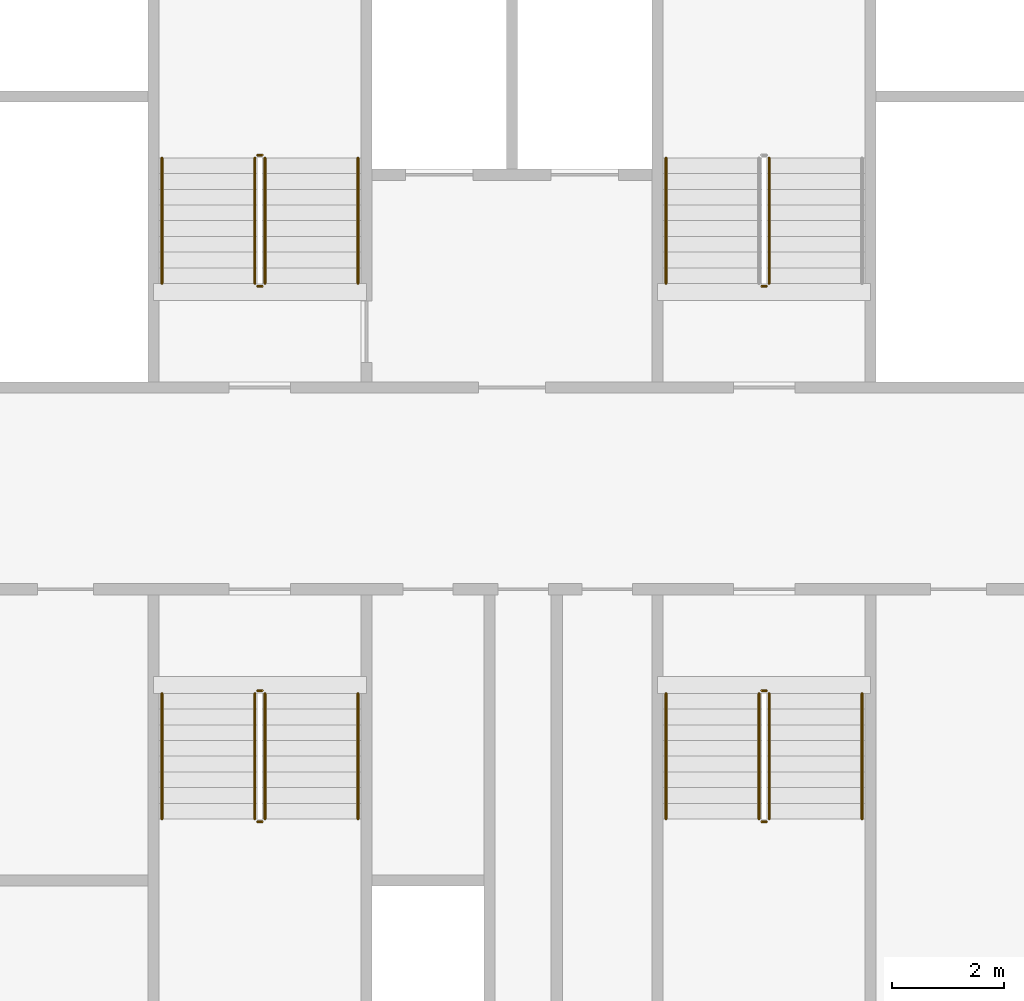
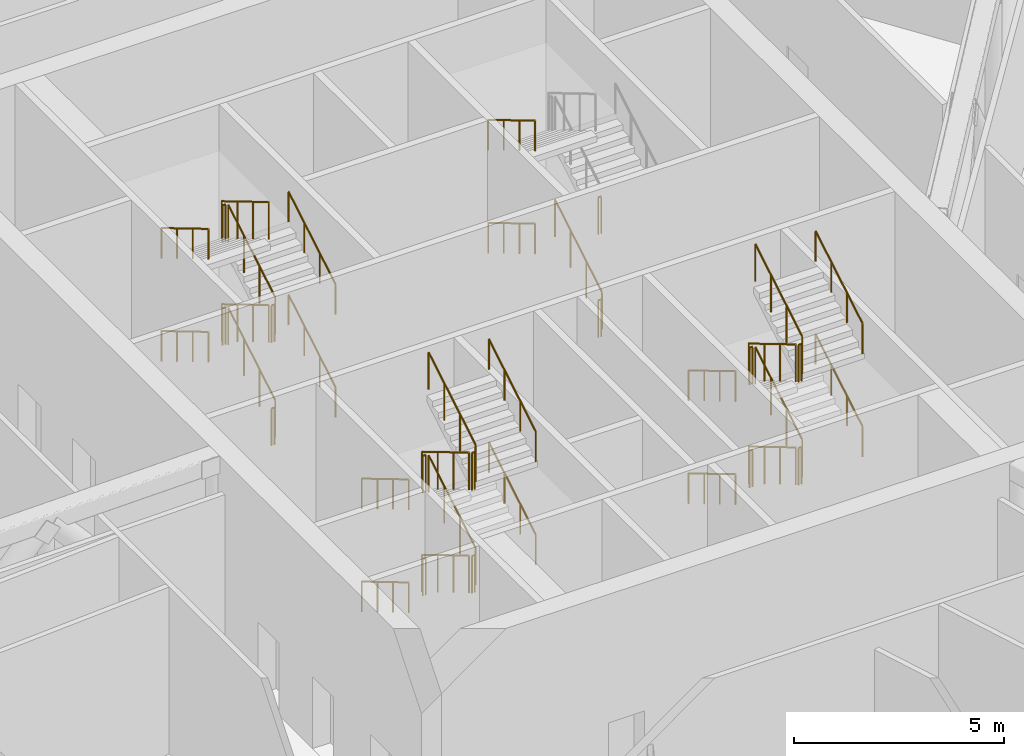
# One storey, part 30 of 33: 41 railings.
"""IFC4 building model written with IfcOpenShell, lengths in metres."""

import ifcopenshell
import ifcopenshell.guid

model = None  # the IFC model being written
_history = None  # IfcOwnerHistory: only IFC2X3 demands one
_inside = {}  # id of a spatial element -> (the spatial element, [elements in it])
_under = {}  # id of a project, library or spatial element -> (it, [spatial elements below it])
_declared = {}  # id of a project -> (the project, [libraries it declares])
_typed = {}  # id of a type object -> (the type object, [elements of that type])
_made_of = {}  # id of a material, layer set ... -> (it, [elements and type objects made of it])


def new_model(schema):
    """Start an empty IFC model of exactly this schema.

    Asked for "IFC4X3", IfcOpenShell would pick the latest addendum, in which some entities
    have other attributes; the version numbers below select the first issue.
    IFC2X3 requires an IfcOwnerHistory on every rooted entity: one is made here for all.
    """
    global model, _history
    if schema == "IFC4X3":
        model = ifcopenshell.file(schema_version=(4, 3, 0, 0))
    else:
        model = ifcopenshell.file(schema=schema)
    _inside.clear()
    _under.clear()
    _declared.clear()
    _typed.clear()
    _made_of.clear()
    _history = None
    if model.schema == "IFC2X3":
        org = make("IfcOrganization", Name="unknown")
        user = make(
            "IfcPersonAndOrganization",
            ThePerson=make("IfcPerson", FamilyName="unknown"),
            TheOrganization=org,
        )
        app = make(
            "IfcApplication",
            ApplicationDeveloper=org,
            Version="unknown",
            ApplicationFullName="unknown",
            ApplicationIdentifier="unknown",
        )
        _history = make(
            "IfcOwnerHistory",
            OwningUser=user,
            OwningApplication=app,
            ChangeAction="ADDED",
            CreationDate=0,
        )
    return model


def make(cls, **values):
    """One entity of the class cls with the attributes given. An attribute that is None is left unset."""
    return model.create_entity(
        cls, **{name: value for name, value in values.items() if value is not None}
    )


def rooted(cls, **values):
    """An entity with a GlobalId (a new one), such as an element, a storey or a relation."""
    return make(cls, GlobalId=ifcopenshell.guid.new(), OwnerHistory=_history, **values)


def si_unit(unit_type, name, prefix=None):
    """IfcSIUnit, for example si_unit("LENGTHUNIT", "METRE", prefix="MILLI")."""
    return make("IfcSIUnit", UnitType=unit_type, Prefix=prefix, Name=name)


def assignment(units):
    """IfcUnitAssignment: the units of a project."""
    return None if units is None else make("IfcUnitAssignment", Units=units)


def point(xyz):
    """IfcCartesianPoint."""
    return None if xyz is None else make("IfcCartesianPoint", Coordinates=xyz)


def direction(xyz):
    """IfcDirection."""
    return None if xyz is None else make("IfcDirection", DirectionRatios=xyz)


def frame(location, z_axis=None, x_axis=None):
    """IfcAxis2Placement3D, a coordinate frame: its origin and axes. An axis left out is left unset."""
    return make(
        "IfcAxis2Placement3D",
        Location=point(location),
        Axis=direction(z_axis),
        RefDirection=direction(x_axis),
    )


def frame_2d(location, x_axis=None):
    """IfcAxis2Placement2D, a coordinate frame in the plane: its origin and x axis."""
    return make(
        "IfcAxis2Placement2D", Location=point(location), RefDirection=direction(x_axis)
    )


def origin():
    """The frame at (0, 0, 0) with its axes left unset."""
    return frame((0.0, 0.0, 0.0))


def origin_2d():
    """The frame at (0, 0) in the plane with its x axis left unset."""
    return frame_2d((0.0, 0.0))


def place(relative_to, where):
    """IfcLocalPlacement: puts the frame where relative to a parent placement (None: the world)."""
    return make(
        "IfcLocalPlacement", PlacementRelTo=relative_to, RelativePlacement=where
    )


def context(
    kind, dimensions, precision=None, world=None, true_north=None, identifier=None
):
    """IfcGeometricRepresentationContext, for example the 3D "Model" context."""
    return make(
        "IfcGeometricRepresentationContext",
        ContextIdentifier=identifier,
        ContextType=kind,
        CoordinateSpaceDimension=dimensions,
        Precision=precision,
        WorldCoordinateSystem=world,
        TrueNorth=true_north,
    )


def subcontext(parent, identifier, kind, view, scale=None):
    """IfcGeometricRepresentationSubContext, for example "Body" below "Model"."""
    return make(
        "IfcGeometricRepresentationSubContext",
        ContextIdentifier=identifier,
        ContextType=kind,
        ParentContext=parent,
        TargetScale=scale,
        TargetView=view,
    )


def project(units=None, contexts=None):
    """IfcProject with its units and contexts."""
    return rooted(
        "IfcProject",
        Name="project",
        RepresentationContexts=contexts,
        UnitsInContext=assignment(units),
    )


def spatial(cls, under=None, at=None, **own):
    """A site, building, storey or space (cls), placed at a placement, below another one or the project."""
    s = rooted(cls, ObjectPlacement=at, **own)
    if under is not None:
        _under.setdefault(under.id(), (under, []))[1].append(s)
    return s


def profile(cls, at=None, kind="AREA", **sizes):
    """A parametric profile (cls). Its sizes go by their IFC names, for example OverallWidth=200.0."""
    return make(cls, ProfileType=kind, Position=at, **sizes)


def circle(**sizes):
    """IfcCircleProfileDef."""
    return profile("IfcCircleProfileDef", **sizes)


def extrude(swept, where, along, depth):
    """IfcExtrudedAreaSolid: the profile swept, set in the frame where, extruded along a direction by depth."""
    return make(
        "IfcExtrudedAreaSolid",
        SweptArea=swept,
        Position=where,
        ExtrudedDirection=direction(along),
        Depth=depth,
    )


def shape(context_of_items, identifier, shape_type, items):
    """IfcShapeRepresentation: the items that make up one representation, for example the "Body"."""
    return make(
        "IfcShapeRepresentation",
        ContextOfItems=context_of_items,
        RepresentationIdentifier=identifier,
        RepresentationType=shape_type,
        Items=items,
    )


def material(Name=None, Category=None):
    """IfcMaterial."""
    return make("IfcMaterial", Name=Name, Category=Category)


def made_of(thing, what):
    """Note that an element or type object is made of a material, layer set ...; save() writes the relation."""
    if what is not None:
        _made_of.setdefault(what.id(), (what, []))[1].append(thing)
    return thing


def type_object(cls, material=None, **own):
    """A type object (cls), such as IfcWallType, which elements share."""
    return made_of(rooted(cls, **own), material)


def element(
    cls,
    number,
    at=None,
    inside=None,
    cuts=None,
    type_object=None,
    material=None,
    context=None,
    identifier="Body",
    shape_type=None,
    held_by="IfcProductDefinitionShape",
    body=None,
    shapes=None,
    **own,
):
    """One element of the class cls, such as IfcWall. Its Tag is "e" and its number.

    at: its placement. inside: the storey or other place that contains it. cuts: it is an
    opening in that element (IfcRelVoidsElement). A single representation is given by context,
    identifier, shape_type and body (its items); several are given by shapes. held_by: the class
    of the entity that holds the representations. save() writes the other relations.
    """
    e = rooted(cls, Tag="e%d" % number, ObjectPlacement=at, **own)
    if body is not None:
        shapes = [shape(context, identifier, shape_type, body)]
    if shapes is not None:
        e.Representation = make(held_by, Representations=shapes)
    if inside is not None:
        _inside.setdefault(inside.id(), (inside, []))[1].append(e)
    if cuts is not None:
        rooted(
            "IfcRelVoidsElement", RelatingBuildingElement=cuts, RelatedOpeningElement=e
        )
    if type_object is not None:
        _typed.setdefault(type_object.id(), (type_object, []))[1].append(e)
    return made_of(e, material)


def aggregate(whole, parts):
    """IfcRelAggregates: a whole, such as a stair, and the parts it consists of."""
    return rooted("IfcRelAggregates", RelatingObject=whole, RelatedObjects=parts)


def save(model, path):
    """Write the relations noted so far, then the file.

    IfcRelAggregates (storeys below a building ...), IfcRelContainedInSpatialStructure (elements
    in a storey), IfcRelDefinesByType, IfcRelAssociatesMaterial and IfcRelDeclares: one each for
    every whole, place, type object, material and project.
    """
    for whole, parts in _under.values():
        aggregate(whole, parts)
    for where, things in _inside.values():
        rooted(
            "IfcRelContainedInSpatialStructure",
            RelatedElements=things,
            RelatingStructure=where,
        )
    for kind, things in _typed.values():
        rooted("IfcRelDefinesByType", RelatedObjects=things, RelatingType=kind)
    for what, things in _made_of.values():
        rooted("IfcRelAssociatesMaterial", RelatedObjects=things, RelatingMaterial=what)
    for by, libraries in _declared.values():
        rooted("IfcRelDeclares", RelatingContext=by, RelatedDefinitions=libraries)
    model.write(path)


model = new_model("IFC4")

# Units and contexts
model_context = context("Model", 3, precision=1e-05, world=origin(), true_north=direction((0.0, 1.0)))
body_context = subcontext(model_context, "Body", "Model", "MODEL_VIEW")
ifc_project = project(units=[si_unit("LENGTHUNIT", "METRE"), si_unit("AREAUNIT", "SQUARE_METRE"), si_unit("VOLUMEUNIT", "CUBIC_METRE"), si_unit("PLANEANGLEUNIT", "RADIAN"), si_unit("MASSUNIT", "GRAM", prefix="KILO")], contexts=[model_context])

# Site, building, storey
site_placement = place(None, origin())
site = spatial("IfcSite", under=ifc_project, at=site_placement, CompositionType="ELEMENT")
building_placement = place(site_placement, origin())
building = spatial("IfcBuilding", under=site, at=building_placement, Name="Tarsis Ring Headquarters", CompositionType="ELEMENT")
storey_placement = place(building_placement, frame((0.0, 0.0, 302.0)))
storey = spatial("IfcBuildingStorey", under=building, at=storey_placement, Name="L71", CompositionType="ELEMENT", Elevation=302.0)

# Railings
ifc_material = material(Name="Steel S355", Category="steel")
railing_type_1 = type_object("IfcRailingType", Name="Core stair guard 1100", PredefinedType="GUARDRAIL", material=ifc_material)
railing_1_placement = place(storey_placement, frame((-4.409912109375, 3.659912109375, 0.166748046875)))
element("IfcRailing", 1, at=railing_1_placement, inside=storey, type_object=railing_type_1, Name="L71 ST1 stair guard 1", PredefinedType="GUARDRAIL", context=body_context, shape_type="SweptSolid", body=[
    extrude(circle(Radius=0.02392578125, at=origin_2d()), frame((0.0, 0.0, 1.076171875), z_axis=(0.0, 0.859305625298, 0.511462454469), x_axis=(-1.0, 0.0, 0.0)), (0.0, 0.0, 1.0), 2.606689453125),
    extrude(circle(Radius=0.02099609375, at=origin_2d()), origin(), (0.0, 0.0, 1.0), 1.052001953125),
    extrude(circle(Radius=0.02099609375, at=origin_2d()), frame((0.0, 0.74658203125, 0.4443359375)), (0.0, 0.0, 1.0), 1.052001953125),
    extrude(circle(Radius=0.02099609375, at=origin_2d()), frame((0.0, 1.493408203125, 0.888916015625)), (0.0, 0.0, 1.0), 1.052001953125),
    extrude(circle(Radius=0.02099609375, at=origin_2d()), frame((0.0, 2.239990234375, 1.333251953125)), (0.0, 0.0, 1.0), 1.052001953125),
])
railing_2_placement = place(storey_placement, frame((-4.4599609375, 5.949951171875, 1.5)))
element("IfcRailing", 2, at=railing_2_placement, inside=storey, type_object=railing_type_1, Name="L71 ST1 stair guard 2", PredefinedType="GUARDRAIL", context=body_context, shape_type="SweptSolid", body=[
    extrude(circle(Radius=0.02392578125, at=origin_2d()), frame((0.0, 0.0, 1.076171875), z_axis=(-1.0, 0.0, 0.0), x_axis=(0.0, -1.0, 0.0)), (0.0, 0.0, 1.0), 0.080078125),
    extrude(circle(Radius=0.02099609375, at=origin_2d()), origin(), (0.0, 0.0, 1.0), 1.052001953125),
    extrude(circle(Radius=0.02099609375, at=origin_2d()), frame((-0.080078125, 0.0, 0.0)), (0.0, 0.0, 1.0), 1.052001953125),
])
railing_3_placement = place(storey_placement, frame((-4.590087890625, 5.89990234375, 1.666748046875)))
element("IfcRailing", 3, at=railing_3_placement, inside=storey, type_object=railing_type_1, Name="L71 ST1 stair guard 3", PredefinedType="GUARDRAIL", context=body_context, shape_type="SweptSolid", body=[
    extrude(circle(Radius=0.02392578125, at=origin_2d()), frame((0.0, 0.0, 1.076171875), z_axis=(0.0, -0.859305625298, 0.511462454469), x_axis=(1.0, 0.0, 0.0)), (0.0, 0.0, 1.0), 2.606689453125),
    extrude(circle(Radius=0.02099609375, at=origin_2d()), origin(), (0.0, 0.0, 1.0), 1.052001953125),
    extrude(circle(Radius=0.02099609375, at=origin_2d()), frame((0.0, -0.74658203125, 0.4443359375)), (0.0, 0.0, 1.0), 1.052001953125),
    extrude(circle(Radius=0.02099609375, at=origin_2d()), frame((0.0, -1.493408203125, 0.888916015625)), (0.0, 0.0, 1.0), 1.052001953125),
    extrude(circle(Radius=0.02099609375, at=origin_2d()), frame((0.0, -2.239990234375, 1.333251953125)), (0.0, 0.0, 1.0), 1.052001953125),
])
railing_4_placement = place(storey_placement, frame((-4.4599609375, 3.610107421875, 3.0)))
element("IfcRailing", 4, at=railing_4_placement, inside=storey, type_object=railing_type_1, Name="L71 ST1 stair guard 4", PredefinedType="GUARDRAIL", context=body_context, shape_type="SweptSolid", body=[
    extrude(circle(Radius=0.02392578125, at=origin_2d()), frame((0.0, 0.0, 1.076171875), z_axis=(-1.0, 0.0, 0.0), x_axis=(0.0, -1.0, 0.0)), (0.0, 0.0, 1.0), 0.080078125),
    extrude(circle(Radius=0.02099609375, at=origin_2d()), origin(), (0.0, 0.0, 1.0), 1.052001953125),
    extrude(circle(Radius=0.02099609375, at=origin_2d()), frame((-0.080078125, 0.0, 0.0)), (0.0, 0.0, 1.0), 1.052001953125),
])
railing_5_placement = place(storey_placement, frame((-4.409912109375, 3.659912109375, 3.166748046875)))
element("IfcRailing", 5, at=railing_5_placement, inside=storey, type_object=railing_type_1, Name="L71 ST1 stair guard 5", PredefinedType="GUARDRAIL", context=body_context, shape_type="SweptSolid", body=[
    extrude(circle(Radius=0.02392578125, at=origin_2d()), frame((0.0, 0.0, 1.076171875), z_axis=(0.0, 0.859305625298, 0.511462454469), x_axis=(-1.0, 0.0, 0.0)), (0.0, 0.0, 1.0), 2.606689453125),
    extrude(circle(Radius=0.02099609375, at=origin_2d()), origin(), (0.0, 0.0, 1.0), 1.052001953125),
    extrude(circle(Radius=0.02099609375, at=origin_2d()), frame((0.0, 0.74658203125, 0.4443359375)), (0.0, 0.0, 1.0), 1.052001953125),
    extrude(circle(Radius=0.02099609375, at=origin_2d()), frame((0.0, 1.493408203125, 0.888916015625)), (0.0, 0.0, 1.0), 1.052001953125),
    extrude(circle(Radius=0.02099609375, at=origin_2d()), frame((0.0, 2.239990234375, 1.333251953125)), (0.0, 0.0, 1.0), 1.052001953125),
])
railing_6_placement = place(storey_placement, frame((-4.4599609375, 5.949951171875, 4.5)))
element("IfcRailing", 6, at=railing_6_placement, inside=storey, type_object=railing_type_1, Name="L71 ST1 stair guard 6", PredefinedType="GUARDRAIL", context=body_context, shape_type="SweptSolid", body=[
    extrude(circle(Radius=0.02392578125, at=origin_2d()), frame((0.0, 0.0, 1.076171875), z_axis=(-1.0, 0.0, 0.0), x_axis=(0.0, -1.0, 0.0)), (0.0, 0.0, 1.0), 0.080078125),
    extrude(circle(Radius=0.02099609375, at=origin_2d()), origin(), (0.0, 0.0, 1.0), 1.052001953125),
    extrude(circle(Radius=0.02099609375, at=origin_2d()), frame((-0.080078125, 0.0, 0.0)), (0.0, 0.0, 1.0), 1.052001953125),
])
railing_7_placement = place(storey_placement, frame((-4.590087890625, 5.89990234375, 4.666748046875)))
element("IfcRailing", 7, at=railing_7_placement, inside=storey, type_object=railing_type_1, Name="L71 ST1 stair guard 7", PredefinedType="GUARDRAIL", context=body_context, shape_type="SweptSolid", body=[
    extrude(circle(Radius=0.02392578125, at=origin_2d()), frame((0.0, 0.0, 1.076171875), z_axis=(0.0, -0.859305625298, 0.511462454469), x_axis=(1.0, 0.0, 0.0)), (0.0, 0.0, 1.0), 2.606689453125),
    extrude(circle(Radius=0.02099609375, at=origin_2d()), origin(), (0.0, 0.0, 1.0), 1.052001953125),
    extrude(circle(Radius=0.02099609375, at=origin_2d()), frame((0.0, -0.74658203125, 0.4443359375)), (0.0, 0.0, 1.0), 1.052001953125),
    extrude(circle(Radius=0.02099609375, at=origin_2d()), frame((0.0, -1.493408203125, 0.888916015625)), (0.0, 0.0, 1.0), 1.052001953125),
    extrude(circle(Radius=0.02099609375, at=origin_2d()), frame((0.0, -2.239990234375, 1.333251953125)), (0.0, 0.0, 1.0), 1.052001953125),
])
railing_8_placement = place(storey_placement, frame((-4.4599609375, 3.610107421875, 0.0)))
element("IfcRailing", 8, at=railing_8_placement, inside=storey, type_object=railing_type_1, Name="L71 ST1 stair guard 8", PredefinedType="GUARDRAIL", context=body_context, shape_type="SweptSolid", body=[
    extrude(circle(Radius=0.02392578125, at=origin_2d()), frame((0.0, 0.0, 1.076171875), z_axis=(-1.0, 0.0, 0.0), x_axis=(0.0, -1.0, 0.0)), (0.0, 0.0, 1.0), 0.080078125),
    extrude(circle(Radius=0.02099609375, at=origin_2d()), origin(), (0.0, 0.0, 1.0), 1.052001953125),
    extrude(circle(Radius=0.02099609375, at=origin_2d()), frame((-0.080078125, 0.0, 0.0)), (0.0, 0.0, 1.0), 1.052001953125),
])
railing_9_placement = place(storey_placement, frame((4.590087890625, 3.659912109375, 0.166748046875)))
element("IfcRailing", 9, at=railing_9_placement, inside=storey, type_object=railing_type_1, Name="L71 ST2 stair guard 1", PredefinedType="GUARDRAIL", context=body_context, shape_type="SweptSolid", body=[
    extrude(circle(Radius=0.02392578125, at=origin_2d()), frame((0.0, 0.0, 1.076171875), z_axis=(0.0, 0.859305625298, 0.511462454469), x_axis=(-1.0, 0.0, 0.0)), (0.0, 0.0, 1.0), 2.606689453125),
    extrude(circle(Radius=0.02099609375, at=origin_2d()), origin(), (0.0, 0.0, 1.0), 1.052001953125),
    extrude(circle(Radius=0.02099609375, at=origin_2d()), frame((0.0, 0.74658203125, 0.4443359375)), (0.0, 0.0, 1.0), 1.052001953125),
    extrude(circle(Radius=0.02099609375, at=origin_2d()), frame((0.0, 1.493408203125, 0.888916015625)), (0.0, 0.0, 1.0), 1.052001953125),
    extrude(circle(Radius=0.02099609375, at=origin_2d()), frame((0.0, 2.239990234375, 1.333251953125)), (0.0, 0.0, 1.0), 1.052001953125),
])
for number, where, name in (
    (10, (4.5400390625, 3.610107421875, 3.0), "L71 ST2 stair guard 4"),
    (11, (4.5400390625, 3.610107421875, 0.0), "L71 ST2 stair guard 8"),
):
    element("IfcRailing", number, at=place(storey_placement, frame(where)), inside=storey, type_object=railing_type_1, Name=name, PredefinedType="GUARDRAIL", context=body_context, shape_type="SweptSolid", body=[
        extrude(circle(Radius=0.02392578125, at=origin_2d()), frame((0.0, 0.0, 1.076171875), z_axis=(-1.0, 0.0, 0.0), x_axis=(0.0, -1.0, 0.0)), (0.0, 0.0, 1.0), 0.080078125),
        extrude(circle(Radius=0.02099609375, at=origin_2d()), origin(), (0.0, 0.0, 1.0), 1.052001953125),
        extrude(circle(Radius=0.02099609375, at=origin_2d()), frame((-0.080078125, 0.0, 0.0)), (0.0, 0.0, 1.0), 1.052001953125),
    ])
railing_10_placement = place(storey_placement, frame((-4.590087890625, -3.659912109375, 0.166748046875)))
element("IfcRailing", 12, at=railing_10_placement, inside=storey, type_object=railing_type_1, Name="L71 ST3 stair guard 1", PredefinedType="GUARDRAIL", context=body_context, shape_type="SweptSolid", body=[
    extrude(circle(Radius=0.02392578125, at=origin_2d()), frame((0.0, 0.0, 1.076171875), z_axis=(0.0, -0.859305625298, 0.511462454469), x_axis=(1.0, 0.0, 0.0)), (0.0, 0.0, 1.0), 2.606689453125),
    extrude(circle(Radius=0.02099609375, at=origin_2d()), origin(), (0.0, 0.0, 1.0), 1.052001953125),
    extrude(circle(Radius=0.02099609375, at=origin_2d()), frame((0.0, -0.74658203125, 0.4443359375)), (0.0, 0.0, 1.0), 1.052001953125),
    extrude(circle(Radius=0.02099609375, at=origin_2d()), frame((0.0, -1.493408203125, 0.888916015625)), (0.0, 0.0, 1.0), 1.052001953125),
    extrude(circle(Radius=0.02099609375, at=origin_2d()), frame((0.0, -2.239990234375, 1.333251953125)), (0.0, 0.0, 1.0), 1.052001953125),
])
railing_11_placement = place(storey_placement, frame((-4.5400390625, -5.949951171875, 1.5)))
element("IfcRailing", 13, at=railing_11_placement, inside=storey, type_object=railing_type_1, Name="L71 ST3 stair guard 2", PredefinedType="GUARDRAIL", context=body_context, shape_type="SweptSolid", body=[
    extrude(circle(Radius=0.02392578125, at=origin_2d()), frame((0.0, 0.0, 1.076171875), z_axis=(1.0, 0.0, 0.0), x_axis=(0.0, 1.0, 0.0)), (0.0, 0.0, 1.0), 0.080078125),
    extrude(circle(Radius=0.02099609375, at=origin_2d()), origin(), (0.0, 0.0, 1.0), 1.052001953125),
    extrude(circle(Radius=0.02099609375, at=origin_2d()), frame((0.080078125, 0.0, 0.0)), (0.0, 0.0, 1.0), 1.052001953125),
])
railing_12_placement = place(storey_placement, frame((-4.409912109375, -5.89990234375, 1.666748046875)))
element("IfcRailing", 14, at=railing_12_placement, inside=storey, type_object=railing_type_1, Name="L71 ST3 stair guard 3", PredefinedType="GUARDRAIL", context=body_context, shape_type="SweptSolid", body=[
    extrude(circle(Radius=0.02392578125, at=origin_2d()), frame((0.0, 0.0, 1.076171875), z_axis=(0.0, 0.859305625298, 0.511462454469), x_axis=(-1.0, 0.0, 0.0)), (0.0, 0.0, 1.0), 2.606689453125),
    extrude(circle(Radius=0.02099609375, at=origin_2d()), origin(), (0.0, 0.0, 1.0), 1.052001953125),
    extrude(circle(Radius=0.02099609375, at=origin_2d()), frame((0.0, 0.74658203125, 0.4443359375)), (0.0, 0.0, 1.0), 1.052001953125),
    extrude(circle(Radius=0.02099609375, at=origin_2d()), frame((0.0, 1.493408203125, 0.888916015625)), (0.0, 0.0, 1.0), 1.052001953125),
    extrude(circle(Radius=0.02099609375, at=origin_2d()), frame((0.0, 2.239990234375, 1.333251953125)), (0.0, 0.0, 1.0), 1.052001953125),
])
railing_13_placement = place(storey_placement, frame((-4.5400390625, -3.610107421875, 3.0)))
element("IfcRailing", 15, at=railing_13_placement, inside=storey, type_object=railing_type_1, Name="L71 ST3 stair guard 4", PredefinedType="GUARDRAIL", context=body_context, shape_type="SweptSolid", body=[
    extrude(circle(Radius=0.02392578125, at=origin_2d()), frame((0.0, 0.0, 1.076171875), z_axis=(1.0, 0.0, 0.0), x_axis=(0.0, 1.0, 0.0)), (0.0, 0.0, 1.0), 0.080078125),
    extrude(circle(Radius=0.02099609375, at=origin_2d()), origin(), (0.0, 0.0, 1.0), 1.052001953125),
    extrude(circle(Radius=0.02099609375, at=origin_2d()), frame((0.080078125, 0.0, 0.0)), (0.0, 0.0, 1.0), 1.052001953125),
])
railing_14_placement = place(storey_placement, frame((-4.590087890625, -3.659912109375, 3.166748046875)))
element("IfcRailing", 16, at=railing_14_placement, inside=storey, type_object=railing_type_1, Name="L71 ST3 stair guard 5", PredefinedType="GUARDRAIL", context=body_context, shape_type="SweptSolid", body=[
    extrude(circle(Radius=0.02392578125, at=origin_2d()), frame((0.0, 0.0, 1.076171875), z_axis=(0.0, -0.859305625298, 0.511462454469), x_axis=(1.0, 0.0, 0.0)), (0.0, 0.0, 1.0), 2.606689453125),
    extrude(circle(Radius=0.02099609375, at=origin_2d()), origin(), (0.0, 0.0, 1.0), 1.052001953125),
    extrude(circle(Radius=0.02099609375, at=origin_2d()), frame((0.0, -0.74658203125, 0.4443359375)), (0.0, 0.0, 1.0), 1.052001953125),
    extrude(circle(Radius=0.02099609375, at=origin_2d()), frame((0.0, -1.493408203125, 0.888916015625)), (0.0, 0.0, 1.0), 1.052001953125),
    extrude(circle(Radius=0.02099609375, at=origin_2d()), frame((0.0, -2.239990234375, 1.333251953125)), (0.0, 0.0, 1.0), 1.052001953125),
])
railing_15_placement = place(storey_placement, frame((-4.5400390625, -5.949951171875, 4.5)))
element("IfcRailing", 17, at=railing_15_placement, inside=storey, type_object=railing_type_1, Name="L71 ST3 stair guard 6", PredefinedType="GUARDRAIL", context=body_context, shape_type="SweptSolid", body=[
    extrude(circle(Radius=0.02392578125, at=origin_2d()), frame((0.0, 0.0, 1.076171875), z_axis=(1.0, 0.0, 0.0), x_axis=(0.0, 1.0, 0.0)), (0.0, 0.0, 1.0), 0.080078125),
    extrude(circle(Radius=0.02099609375, at=origin_2d()), origin(), (0.0, 0.0, 1.0), 1.052001953125),
    extrude(circle(Radius=0.02099609375, at=origin_2d()), frame((0.080078125, 0.0, 0.0)), (0.0, 0.0, 1.0), 1.052001953125),
])
railing_16_placement = place(storey_placement, frame((-4.409912109375, -5.89990234375, 4.666748046875)))
element("IfcRailing", 18, at=railing_16_placement, inside=storey, type_object=railing_type_1, Name="L71 ST3 stair guard 7", PredefinedType="GUARDRAIL", context=body_context, shape_type="SweptSolid", body=[
    extrude(circle(Radius=0.02392578125, at=origin_2d()), frame((0.0, 0.0, 1.076171875), z_axis=(0.0, 0.859305625298, 0.511462454469), x_axis=(-1.0, 0.0, 0.0)), (0.0, 0.0, 1.0), 2.606689453125),
    extrude(circle(Radius=0.02099609375, at=origin_2d()), origin(), (0.0, 0.0, 1.0), 1.052001953125),
    extrude(circle(Radius=0.02099609375, at=origin_2d()), frame((0.0, 0.74658203125, 0.4443359375)), (0.0, 0.0, 1.0), 1.052001953125),
    extrude(circle(Radius=0.02099609375, at=origin_2d()), frame((0.0, 1.493408203125, 0.888916015625)), (0.0, 0.0, 1.0), 1.052001953125),
    extrude(circle(Radius=0.02099609375, at=origin_2d()), frame((0.0, 2.239990234375, 1.333251953125)), (0.0, 0.0, 1.0), 1.052001953125),
])
railing_17_placement = place(storey_placement, frame((-4.5400390625, -3.610107421875, 0.0)))
element("IfcRailing", 19, at=railing_17_placement, inside=storey, type_object=railing_type_1, Name="L71 ST3 stair guard 8", PredefinedType="GUARDRAIL", context=body_context, shape_type="SweptSolid", body=[
    extrude(circle(Radius=0.02392578125, at=origin_2d()), frame((0.0, 0.0, 1.076171875), z_axis=(1.0, 0.0, 0.0), x_axis=(0.0, 1.0, 0.0)), (0.0, 0.0, 1.0), 0.080078125),
    extrude(circle(Radius=0.02099609375, at=origin_2d()), origin(), (0.0, 0.0, 1.0), 1.052001953125),
    extrude(circle(Radius=0.02099609375, at=origin_2d()), frame((0.080078125, 0.0, 0.0)), (0.0, 0.0, 1.0), 1.052001953125),
])
railing_18_placement = place(storey_placement, frame((4.409912109375, -3.659912109375, 0.166748046875)))
element("IfcRailing", 20, at=railing_18_placement, inside=storey, type_object=railing_type_1, Name="L71 ST4 stair guard 1", PredefinedType="GUARDRAIL", context=body_context, shape_type="SweptSolid", body=[
    extrude(circle(Radius=0.02392578125, at=origin_2d()), frame((0.0, 0.0, 1.076171875), z_axis=(0.0, -0.859305625298, 0.511462454469), x_axis=(1.0, 0.0, 0.0)), (0.0, 0.0, 1.0), 2.606689453125),
    extrude(circle(Radius=0.02099609375, at=origin_2d()), origin(), (0.0, 0.0, 1.0), 1.052001953125),
    extrude(circle(Radius=0.02099609375, at=origin_2d()), frame((0.0, -0.74658203125, 0.4443359375)), (0.0, 0.0, 1.0), 1.052001953125),
    extrude(circle(Radius=0.02099609375, at=origin_2d()), frame((0.0, -1.493408203125, 0.888916015625)), (0.0, 0.0, 1.0), 1.052001953125),
    extrude(circle(Radius=0.02099609375, at=origin_2d()), frame((0.0, -2.239990234375, 1.333251953125)), (0.0, 0.0, 1.0), 1.052001953125),
])
railing_19_placement = place(storey_placement, frame((4.4599609375, -5.949951171875, 1.5)))
element("IfcRailing", 21, at=railing_19_placement, inside=storey, type_object=railing_type_1, Name="L71 ST4 stair guard 2", PredefinedType="GUARDRAIL", context=body_context, shape_type="SweptSolid", body=[
    extrude(circle(Radius=0.02392578125, at=origin_2d()), frame((0.0, 0.0, 1.076171875), z_axis=(1.0, 0.0, 0.0), x_axis=(0.0, 1.0, 0.0)), (0.0, 0.0, 1.0), 0.080078125),
    extrude(circle(Radius=0.02099609375, at=origin_2d()), origin(), (0.0, 0.0, 1.0), 1.052001953125),
    extrude(circle(Radius=0.02099609375, at=origin_2d()), frame((0.080078125, 0.0, 0.0)), (0.0, 0.0, 1.0), 1.052001953125),
])
railing_20_placement = place(storey_placement, frame((4.590087890625, -5.89990234375, 1.666748046875)))
element("IfcRailing", 22, at=railing_20_placement, inside=storey, type_object=railing_type_1, Name="L71 ST4 stair guard 3", PredefinedType="GUARDRAIL", context=body_context, shape_type="SweptSolid", body=[
    extrude(circle(Radius=0.02392578125, at=origin_2d()), frame((0.0, 0.0, 1.076171875), z_axis=(0.0, 0.859305625298, 0.511462454469), x_axis=(-1.0, 0.0, 0.0)), (0.0, 0.0, 1.0), 2.606689453125),
    extrude(circle(Radius=0.02099609375, at=origin_2d()), origin(), (0.0, 0.0, 1.0), 1.052001953125),
    extrude(circle(Radius=0.02099609375, at=origin_2d()), frame((0.0, 0.74658203125, 0.4443359375)), (0.0, 0.0, 1.0), 1.052001953125),
    extrude(circle(Radius=0.02099609375, at=origin_2d()), frame((0.0, 1.493408203125, 0.888916015625)), (0.0, 0.0, 1.0), 1.052001953125),
    extrude(circle(Radius=0.02099609375, at=origin_2d()), frame((0.0, 2.239990234375, 1.333251953125)), (0.0, 0.0, 1.0), 1.052001953125),
])
railing_21_placement = place(storey_placement, frame((4.4599609375, -3.610107421875, 3.0)))
element("IfcRailing", 23, at=railing_21_placement, inside=storey, type_object=railing_type_1, Name="L71 ST4 stair guard 4", PredefinedType="GUARDRAIL", context=body_context, shape_type="SweptSolid", body=[
    extrude(circle(Radius=0.02392578125, at=origin_2d()), frame((0.0, 0.0, 1.076171875), z_axis=(1.0, 0.0, 0.0), x_axis=(0.0, 1.0, 0.0)), (0.0, 0.0, 1.0), 0.080078125),
    extrude(circle(Radius=0.02099609375, at=origin_2d()), origin(), (0.0, 0.0, 1.0), 1.052001953125),
    extrude(circle(Radius=0.02099609375, at=origin_2d()), frame((0.080078125, 0.0, 0.0)), (0.0, 0.0, 1.0), 1.052001953125),
])
railing_22_placement = place(storey_placement, frame((4.409912109375, -3.659912109375, 3.166748046875)))
element("IfcRailing", 24, at=railing_22_placement, inside=storey, type_object=railing_type_1, Name="L71 ST4 stair guard 5", PredefinedType="GUARDRAIL", context=body_context, shape_type="SweptSolid", body=[
    extrude(circle(Radius=0.02392578125, at=origin_2d()), frame((0.0, 0.0, 1.076171875), z_axis=(0.0, -0.859305625298, 0.511462454469), x_axis=(1.0, 0.0, 0.0)), (0.0, 0.0, 1.0), 2.606689453125),
    extrude(circle(Radius=0.02099609375, at=origin_2d()), origin(), (0.0, 0.0, 1.0), 1.052001953125),
    extrude(circle(Radius=0.02099609375, at=origin_2d()), frame((0.0, -0.74658203125, 0.4443359375)), (0.0, 0.0, 1.0), 1.052001953125),
    extrude(circle(Radius=0.02099609375, at=origin_2d()), frame((0.0, -1.493408203125, 0.888916015625)), (0.0, 0.0, 1.0), 1.052001953125),
    extrude(circle(Radius=0.02099609375, at=origin_2d()), frame((0.0, -2.239990234375, 1.333251953125)), (0.0, 0.0, 1.0), 1.052001953125),
])
railing_23_placement = place(storey_placement, frame((4.4599609375, -5.949951171875, 4.5)))
element("IfcRailing", 25, at=railing_23_placement, inside=storey, type_object=railing_type_1, Name="L71 ST4 stair guard 6", PredefinedType="GUARDRAIL", context=body_context, shape_type="SweptSolid", body=[
    extrude(circle(Radius=0.02392578125, at=origin_2d()), frame((0.0, 0.0, 1.076171875), z_axis=(1.0, 0.0, 0.0), x_axis=(0.0, 1.0, 0.0)), (0.0, 0.0, 1.0), 0.080078125),
    extrude(circle(Radius=0.02099609375, at=origin_2d()), origin(), (0.0, 0.0, 1.0), 1.052001953125),
    extrude(circle(Radius=0.02099609375, at=origin_2d()), frame((0.080078125, 0.0, 0.0)), (0.0, 0.0, 1.0), 1.052001953125),
])
railing_24_placement = place(storey_placement, frame((4.590087890625, -5.89990234375, 4.666748046875)))
element("IfcRailing", 26, at=railing_24_placement, inside=storey, type_object=railing_type_1, Name="L71 ST4 stair guard 7", PredefinedType="GUARDRAIL", context=body_context, shape_type="SweptSolid", body=[
    extrude(circle(Radius=0.02392578125, at=origin_2d()), frame((0.0, 0.0, 1.076171875), z_axis=(0.0, 0.859305625298, 0.511462454469), x_axis=(-1.0, 0.0, 0.0)), (0.0, 0.0, 1.0), 2.606689453125),
    extrude(circle(Radius=0.02099609375, at=origin_2d()), origin(), (0.0, 0.0, 1.0), 1.052001953125),
    extrude(circle(Radius=0.02099609375, at=origin_2d()), frame((0.0, 0.74658203125, 0.4443359375)), (0.0, 0.0, 1.0), 1.052001953125),
    extrude(circle(Radius=0.02099609375, at=origin_2d()), frame((0.0, 1.493408203125, 0.888916015625)), (0.0, 0.0, 1.0), 1.052001953125),
    extrude(circle(Radius=0.02099609375, at=origin_2d()), frame((0.0, 2.239990234375, 1.333251953125)), (0.0, 0.0, 1.0), 1.052001953125),
])
railing_25_placement = place(storey_placement, frame((4.4599609375, -3.610107421875, 0.0)))
element("IfcRailing", 27, at=railing_25_placement, inside=storey, type_object=railing_type_1, Name="L71 ST4 stair guard 8", PredefinedType="GUARDRAIL", context=body_context, shape_type="SweptSolid", body=[
    extrude(circle(Radius=0.02392578125, at=origin_2d()), frame((0.0, 0.0, 1.076171875), z_axis=(1.0, 0.0, 0.0), x_axis=(0.0, 1.0, 0.0)), (0.0, 0.0, 1.0), 0.080078125),
    extrude(circle(Radius=0.02099609375, at=origin_2d()), origin(), (0.0, 0.0, 1.0), 1.052001953125),
    extrude(circle(Radius=0.02099609375, at=origin_2d()), frame((0.080078125, 0.0, 0.0)), (0.0, 0.0, 1.0), 1.052001953125),
])
railing_type_2 = type_object("IfcRailingType", Name="Core stair handrail 900", PredefinedType="HANDRAIL", material=ifc_material)
railing_26_placement = place(storey_placement, frame((-2.75, 3.659912109375, 0.166748046875)))
element("IfcRailing", 28, at=railing_26_placement, inside=storey, type_object=railing_type_2, Name="L71 ST1 stair handrail 1", PredefinedType="HANDRAIL", context=body_context, shape_type="SweptSolid", body=[
    extrude(circle(Radius=0.02392578125, at=origin_2d()), frame((0.0, 0.0, 0.8759765625), z_axis=(0.0, 0.859305625298, 0.511462454469), x_axis=(-1.0, 0.0, 0.0)), (0.0, 0.0, 1.0), 2.606689453125),
    extrude(circle(Radius=0.02099609375, at=origin_2d()), origin(), (0.0, 0.0, 1.0), 0.851806640625),
    extrude(circle(Radius=0.02099609375, at=origin_2d()), frame((0.0, 0.74658203125, 0.4443359375)), (0.0, 0.0, 1.0), 0.851806640625),
    extrude(circle(Radius=0.02099609375, at=origin_2d()), frame((0.0, 1.493408203125, 0.888916015625)), (0.0, 0.0, 1.0), 0.851806640625),
    extrude(circle(Radius=0.02099609375, at=origin_2d()), frame((0.0, 2.239990234375, 1.333251953125)), (0.0, 0.0, 1.0), 0.851806640625),
])
railing_27_placement = place(storey_placement, frame((-6.25, 5.89990234375, 1.666748046875)))
element("IfcRailing", 29, at=railing_27_placement, inside=storey, type_object=railing_type_2, Name="L71 ST1 stair handrail 2", PredefinedType="HANDRAIL", context=body_context, shape_type="SweptSolid", body=[
    extrude(circle(Radius=0.02392578125, at=origin_2d()), frame((0.0, 0.0, 0.8759765625), z_axis=(0.0, -0.859305625298, 0.511462454469), x_axis=(1.0, 0.0, 0.0)), (0.0, 0.0, 1.0), 2.606689453125),
    extrude(circle(Radius=0.02099609375, at=origin_2d()), origin(), (0.0, 0.0, 1.0), 0.851806640625),
    extrude(circle(Radius=0.02099609375, at=origin_2d()), frame((0.0, -0.74658203125, 0.4443359375)), (0.0, 0.0, 1.0), 0.851806640625),
    extrude(circle(Radius=0.02099609375, at=origin_2d()), frame((0.0, -1.493408203125, 0.888916015625)), (0.0, 0.0, 1.0), 0.851806640625),
    extrude(circle(Radius=0.02099609375, at=origin_2d()), frame((0.0, -2.239990234375, 1.333251953125)), (0.0, 0.0, 1.0), 0.851806640625),
])
railing_28_placement = place(storey_placement, frame((-2.75, 3.659912109375, 3.166748046875)))
element("IfcRailing", 30, at=railing_28_placement, inside=storey, type_object=railing_type_2, Name="L71 ST1 stair handrail 3", PredefinedType="HANDRAIL", context=body_context, shape_type="SweptSolid", body=[
    extrude(circle(Radius=0.02392578125, at=origin_2d()), frame((0.0, 0.0, 0.8759765625), z_axis=(0.0, 0.859305625298, 0.511462454469), x_axis=(-1.0, 0.0, 0.0)), (0.0, 0.0, 1.0), 2.606689453125),
    extrude(circle(Radius=0.02099609375, at=origin_2d()), origin(), (0.0, 0.0, 1.0), 0.851806640625),
    extrude(circle(Radius=0.02099609375, at=origin_2d()), frame((0.0, 0.74658203125, 0.4443359375)), (0.0, 0.0, 1.0), 0.851806640625),
    extrude(circle(Radius=0.02099609375, at=origin_2d()), frame((0.0, 1.493408203125, 0.888916015625)), (0.0, 0.0, 1.0), 0.851806640625),
    extrude(circle(Radius=0.02099609375, at=origin_2d()), frame((0.0, 2.239990234375, 1.333251953125)), (0.0, 0.0, 1.0), 0.851806640625),
])
for number, where, name in (
    (31, (-6.25, 5.89990234375, 4.666748046875), "L71 ST1 stair handrail 4"),
    (32, (2.75, 5.89990234375, 1.666748046875), "L71 ST2 stair handrail 2"),
    (33, (2.75, 5.89990234375, 4.666748046875), "L71 ST2 stair handrail 4"),
    (34, (-6.25, -3.659912109375, 0.166748046875), "L71 ST3 stair handrail 1"),
):
    element("IfcRailing", number, at=place(storey_placement, frame(where)), inside=storey, type_object=railing_type_2, Name=name, PredefinedType="HANDRAIL", context=body_context, shape_type="SweptSolid", body=[
        extrude(circle(Radius=0.02392578125, at=origin_2d()), frame((0.0, 0.0, 0.8759765625), z_axis=(0.0, -0.859305625298, 0.511462454469), x_axis=(1.0, 0.0, 0.0)), (0.0, 0.0, 1.0), 2.606689453125),
        extrude(circle(Radius=0.02099609375, at=origin_2d()), origin(), (0.0, 0.0, 1.0), 0.851806640625),
        extrude(circle(Radius=0.02099609375, at=origin_2d()), frame((0.0, -0.74658203125, 0.4443359375)), (0.0, 0.0, 1.0), 0.851806640625),
        extrude(circle(Radius=0.02099609375, at=origin_2d()), frame((0.0, -1.493408203125, 0.888916015625)), (0.0, 0.0, 1.0), 0.851806640625),
        extrude(circle(Radius=0.02099609375, at=origin_2d()), frame((0.0, -2.239990234375, 1.333251953125)), (0.0, 0.0, 1.0), 0.851806640625),
    ])
railing_29_placement = place(storey_placement, frame((-2.75, -5.89990234375, 1.666748046875)))
element("IfcRailing", 35, at=railing_29_placement, inside=storey, type_object=railing_type_2, Name="L71 ST3 stair handrail 2", PredefinedType="HANDRAIL", context=body_context, shape_type="SweptSolid", body=[
    extrude(circle(Radius=0.02392578125, at=origin_2d()), frame((0.0, 0.0, 0.8759765625), z_axis=(0.0, 0.859305625298, 0.511462454469), x_axis=(-1.0, 0.0, 0.0)), (0.0, 0.0, 1.0), 2.606689453125),
    extrude(circle(Radius=0.02099609375, at=origin_2d()), origin(), (0.0, 0.0, 1.0), 0.851806640625),
    extrude(circle(Radius=0.02099609375, at=origin_2d()), frame((0.0, 0.74658203125, 0.4443359375)), (0.0, 0.0, 1.0), 0.851806640625),
    extrude(circle(Radius=0.02099609375, at=origin_2d()), frame((0.0, 1.493408203125, 0.888916015625)), (0.0, 0.0, 1.0), 0.851806640625),
    extrude(circle(Radius=0.02099609375, at=origin_2d()), frame((0.0, 2.239990234375, 1.333251953125)), (0.0, 0.0, 1.0), 0.851806640625),
])
railing_30_placement = place(storey_placement, frame((-6.25, -3.659912109375, 3.166748046875)))
element("IfcRailing", 36, at=railing_30_placement, inside=storey, type_object=railing_type_2, Name="L71 ST3 stair handrail 3", PredefinedType="HANDRAIL", context=body_context, shape_type="SweptSolid", body=[
    extrude(circle(Radius=0.02392578125, at=origin_2d()), frame((0.0, 0.0, 0.8759765625), z_axis=(0.0, -0.859305625298, 0.511462454469), x_axis=(1.0, 0.0, 0.0)), (0.0, 0.0, 1.0), 2.606689453125),
    extrude(circle(Radius=0.02099609375, at=origin_2d()), origin(), (0.0, 0.0, 1.0), 0.851806640625),
    extrude(circle(Radius=0.02099609375, at=origin_2d()), frame((0.0, -0.74658203125, 0.4443359375)), (0.0, 0.0, 1.0), 0.851806640625),
    extrude(circle(Radius=0.02099609375, at=origin_2d()), frame((0.0, -1.493408203125, 0.888916015625)), (0.0, 0.0, 1.0), 0.851806640625),
    extrude(circle(Radius=0.02099609375, at=origin_2d()), frame((0.0, -2.239990234375, 1.333251953125)), (0.0, 0.0, 1.0), 0.851806640625),
])
railing_31_placement = place(storey_placement, frame((-2.75, -5.89990234375, 4.666748046875)))
element("IfcRailing", 37, at=railing_31_placement, inside=storey, type_object=railing_type_2, Name="L71 ST3 stair handrail 4", PredefinedType="HANDRAIL", context=body_context, shape_type="SweptSolid", body=[
    extrude(circle(Radius=0.02392578125, at=origin_2d()), frame((0.0, 0.0, 0.8759765625), z_axis=(0.0, 0.859305625298, 0.511462454469), x_axis=(-1.0, 0.0, 0.0)), (0.0, 0.0, 1.0), 2.606689453125),
    extrude(circle(Radius=0.02099609375, at=origin_2d()), origin(), (0.0, 0.0, 1.0), 0.851806640625),
    extrude(circle(Radius=0.02099609375, at=origin_2d()), frame((0.0, 0.74658203125, 0.4443359375)), (0.0, 0.0, 1.0), 0.851806640625),
    extrude(circle(Radius=0.02099609375, at=origin_2d()), frame((0.0, 1.493408203125, 0.888916015625)), (0.0, 0.0, 1.0), 0.851806640625),
    extrude(circle(Radius=0.02099609375, at=origin_2d()), frame((0.0, 2.239990234375, 1.333251953125)), (0.0, 0.0, 1.0), 0.851806640625),
])
railing_32_placement = place(storey_placement, frame((2.75, -3.659912109375, 0.166748046875)))
element("IfcRailing", 38, at=railing_32_placement, inside=storey, type_object=railing_type_2, Name="L71 ST4 stair handrail 1", PredefinedType="HANDRAIL", context=body_context, shape_type="SweptSolid", body=[
    extrude(circle(Radius=0.02392578125, at=origin_2d()), frame((0.0, 0.0, 0.8759765625), z_axis=(0.0, -0.859305625298, 0.511462454469), x_axis=(1.0, 0.0, 0.0)), (0.0, 0.0, 1.0), 2.606689453125),
    extrude(circle(Radius=0.02099609375, at=origin_2d()), origin(), (0.0, 0.0, 1.0), 0.851806640625),
    extrude(circle(Radius=0.02099609375, at=origin_2d()), frame((0.0, -0.74658203125, 0.4443359375)), (0.0, 0.0, 1.0), 0.851806640625),
    extrude(circle(Radius=0.02099609375, at=origin_2d()), frame((0.0, -1.493408203125, 0.888916015625)), (0.0, 0.0, 1.0), 0.851806640625),
    extrude(circle(Radius=0.02099609375, at=origin_2d()), frame((0.0, -2.239990234375, 1.333251953125)), (0.0, 0.0, 1.0), 0.851806640625),
])
railing_33_placement = place(storey_placement, frame((6.25, -5.89990234375, 1.666748046875)))
element("IfcRailing", 39, at=railing_33_placement, inside=storey, type_object=railing_type_2, Name="L71 ST4 stair handrail 2", PredefinedType="HANDRAIL", context=body_context, shape_type="SweptSolid", body=[
    extrude(circle(Radius=0.02392578125, at=origin_2d()), frame((0.0, 0.0, 0.8759765625), z_axis=(0.0, 0.859305625298, 0.511462454469), x_axis=(-1.0, 0.0, 0.0)), (0.0, 0.0, 1.0), 2.606689453125),
    extrude(circle(Radius=0.02099609375, at=origin_2d()), origin(), (0.0, 0.0, 1.0), 0.851806640625),
    extrude(circle(Radius=0.02099609375, at=origin_2d()), frame((0.0, 0.74658203125, 0.4443359375)), (0.0, 0.0, 1.0), 0.851806640625),
    extrude(circle(Radius=0.02099609375, at=origin_2d()), frame((0.0, 1.493408203125, 0.888916015625)), (0.0, 0.0, 1.0), 0.851806640625),
    extrude(circle(Radius=0.02099609375, at=origin_2d()), frame((0.0, 2.239990234375, 1.333251953125)), (0.0, 0.0, 1.0), 0.851806640625),
])
railing_34_placement = place(storey_placement, frame((2.75, -3.659912109375, 3.166748046875)))
element("IfcRailing", 40, at=railing_34_placement, inside=storey, type_object=railing_type_2, Name="L71 ST4 stair handrail 3", PredefinedType="HANDRAIL", context=body_context, shape_type="SweptSolid", body=[
    extrude(circle(Radius=0.02392578125, at=origin_2d()), frame((0.0, 0.0, 0.8759765625), z_axis=(0.0, -0.859305625298, 0.511462454469), x_axis=(1.0, 0.0, 0.0)), (0.0, 0.0, 1.0), 2.606689453125),
    extrude(circle(Radius=0.02099609375, at=origin_2d()), origin(), (0.0, 0.0, 1.0), 0.851806640625),
    extrude(circle(Radius=0.02099609375, at=origin_2d()), frame((0.0, -0.74658203125, 0.4443359375)), (0.0, 0.0, 1.0), 0.851806640625),
    extrude(circle(Radius=0.02099609375, at=origin_2d()), frame((0.0, -1.493408203125, 0.888916015625)), (0.0, 0.0, 1.0), 0.851806640625),
    extrude(circle(Radius=0.02099609375, at=origin_2d()), frame((0.0, -2.239990234375, 1.333251953125)), (0.0, 0.0, 1.0), 0.851806640625),
])
railing_35_placement = place(storey_placement, frame((6.25, -5.89990234375, 4.666748046875)))
element("IfcRailing", 41, at=railing_35_placement, inside=storey, type_object=railing_type_2, Name="L71 ST4 stair handrail 4", PredefinedType="HANDRAIL", context=body_context, shape_type="SweptSolid", body=[
    extrude(circle(Radius=0.02392578125, at=origin_2d()), frame((0.0, 0.0, 0.8759765625), z_axis=(0.0, 0.859305625298, 0.511462454469), x_axis=(-1.0, 0.0, 0.0)), (0.0, 0.0, 1.0), 2.606689453125),
    extrude(circle(Radius=0.02099609375, at=origin_2d()), origin(), (0.0, 0.0, 1.0), 0.851806640625),
    extrude(circle(Radius=0.02099609375, at=origin_2d()), frame((0.0, 0.74658203125, 0.4443359375)), (0.0, 0.0, 1.0), 0.851806640625),
    extrude(circle(Radius=0.02099609375, at=origin_2d()), frame((0.0, 1.493408203125, 0.888916015625)), (0.0, 0.0, 1.0), 0.851806640625),
    extrude(circle(Radius=0.02099609375, at=origin_2d()), frame((0.0, 2.239990234375, 1.333251953125)), (0.0, 0.0, 1.0), 0.851806640625),
])

save(model, "model.ifc")
